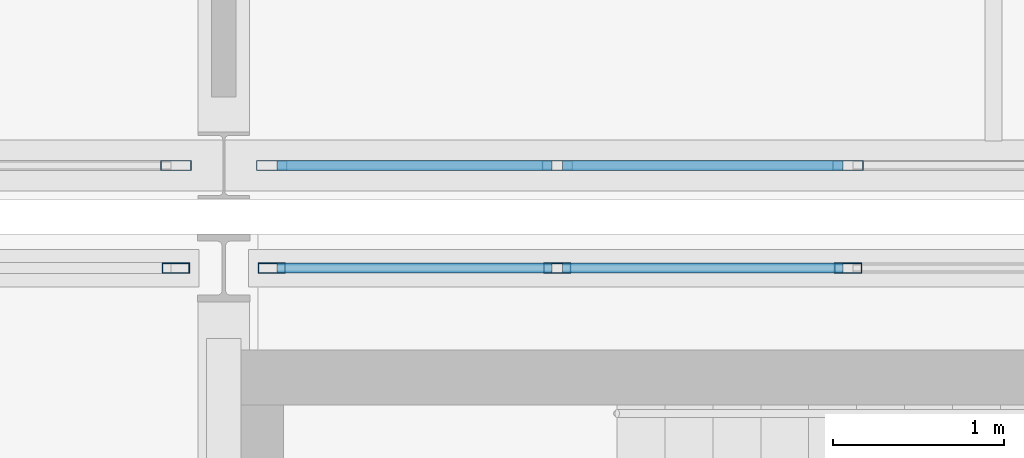
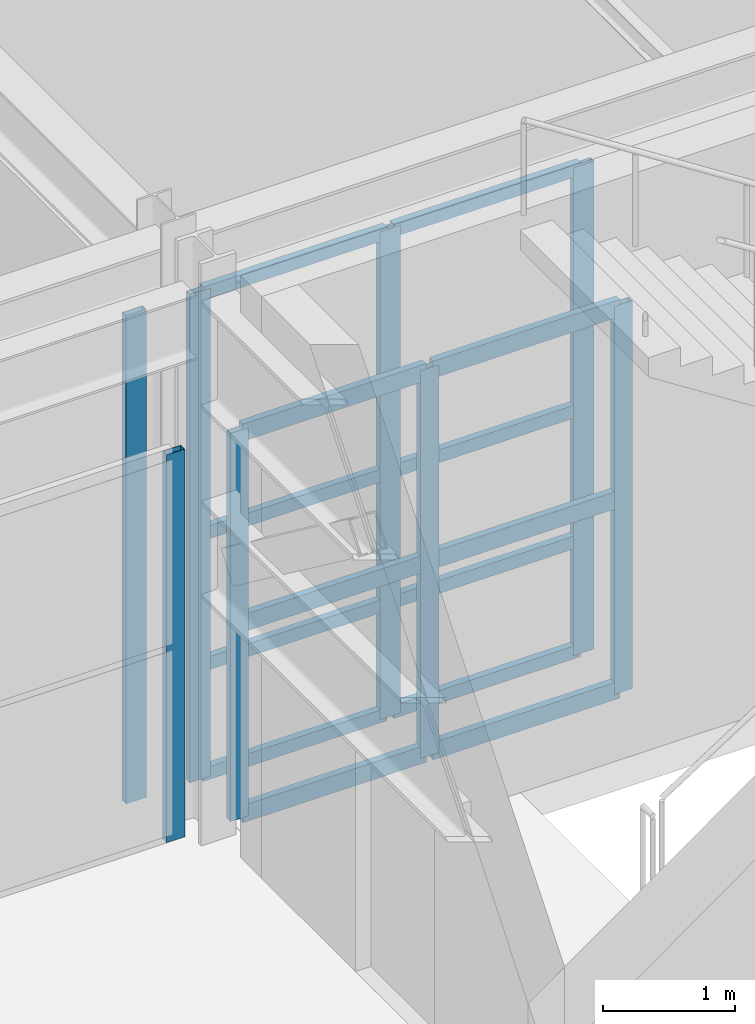
# One storey, part 35 of 210: 22 members, 4 elements without a shape of their own.
"""IFC4 building model written with IfcOpenShell, lengths in metres."""

from ifc_helpers import new_model, si_unit, direction, frame, origin, origin_2d, place, context, subcontext, project, spatial, hollow_rectangle, extrude, material, material_profile, profile_set, type_object, element, aggregate, save


model = new_model("IFC4")

# Units and contexts
model_context = context("Model", 3, precision=1e-05, world=origin(), true_north=direction((0.0, 1.0)))
body_context = subcontext(model_context, "Body", "Model", "MODEL_VIEW")
ifc_project = project(units=[si_unit("LENGTHUNIT", "METRE"), si_unit("AREAUNIT", "SQUARE_METRE"), si_unit("VOLUMEUNIT", "CUBIC_METRE"), si_unit("PLANEANGLEUNIT", "RADIAN"), si_unit("MASSUNIT", "GRAM", prefix="KILO")], contexts=[model_context])

# Site, building, storey
site_placement = place(None, origin())
site = spatial("IfcSite", under=ifc_project, at=site_placement, CompositionType="ELEMENT")
building_placement = place(site_placement, origin())
building = spatial("IfcBuilding", under=site, at=building_placement, Name="Kaldris Quays Convention Centre", CompositionType="ELEMENT")
storey_placement = place(building_placement, frame((0.0, 0.0, 6.0)))
storey = spatial("IfcBuildingStorey", under=building, at=storey_placement, Name="L01", CompositionType="ELEMENT", Elevation=6.0)

# Curtain wall, member
ifc_material_1 = material(Name="Anodized aluminium AW-6060 and triple glazing", Category="aluminium")
curtain_wall_type_1 = type_object("IfcCurtainWallType", Name="UNITISED CURTAIN WALL CW05", PredefinedType="NOTDEFINED", material=ifc_material_1)
curtain_wall_1_placement = place(storey_placement, origin())
curtain_wall_1 = element("IfcCurtainWall", 1, at=curtain_wall_1_placement, inside=storey, type_object=curtain_wall_type_1, Name="L01 Unitised Curtain Wall CW05 64", PredefinedType="NOTDEFINED")
ifc_material_2 = material(Name="Anodized aluminium AW-6060", Category="aluminium")
ifc_material_profile_1 = material_profile(ifc_material_2, hollow_rectangle(XDim=0.06005859375, YDim=0.159912109375, WallThickness=0.00390625, at=origin_2d()), Name="RHS 160x60x4")
ifc_profile_set_1 = profile_set([ifc_material_profile_1], Name="Anodized aluminium AW-6060")
member_type_1 = type_object("IfcMemberType", Name="CURTAIN MULLION CWM1", PredefinedType="MULLION", material=ifc_profile_set_1)
member_1_placement = place(storey_placement, frame((46.719970703125, 46.0, 0.0), z_axis=(0.0, 0.0, 1.0), x_axis=(0.0, 1.0, 0.0)))
member_1 = element("IfcMember", 2, at=member_1_placement, type_object=member_type_1, Name="CW05 mullion 6", PredefinedType="MULLION", context=body_context, shape_type="SweptSolid", body=[
    extrude(hollow_rectangle(XDim=0.06005859375, YDim=0.159912109375, WallThickness=0.00390625, at=origin_2d()), origin(), (0.0, 0.0, 1.0), 3.60009765625),
])
aggregate(curtain_wall_1, [member_1])

# Curtain wall, members
curtain_wall_2_placement = place(storey_placement, origin())
curtain_wall_2 = element("IfcCurtainWall", 3, at=curtain_wall_2_placement, inside=storey, type_object=curtain_wall_type_1, Name="L01 Unitised Curtain Wall CW05 66", PredefinedType="NOTDEFINED")
member_2_placement = place(storey_placement, frame((47.280029296875, 46.0, 0.0), z_axis=(0.0, 0.0, 1.0), x_axis=(0.0, 1.0, 0.0)))
member_2 = element("IfcMember", 4, at=member_2_placement, type_object=member_type_1, Name="CW05 mullion 1", PredefinedType="MULLION", context=body_context, shape_type="SweptSolid", body=[
    extrude(hollow_rectangle(XDim=0.06005859375, YDim=0.159912109375, WallThickness=0.00390625, at=origin_2d()), origin(), (0.0, 0.0, 1.0), 3.60009765625),
])
member_3_placement = place(storey_placement, frame((48.949951171875, 46.0, 0.0), z_axis=(0.0, 0.0, 1.0), x_axis=(0.0, 1.0, 0.0)))
member_3 = element("IfcMember", 5, at=member_3_placement, type_object=member_type_1, Name="CW05 mullion 2", PredefinedType="MULLION", context=body_context, shape_type="SweptSolid", body=[
    extrude(hollow_rectangle(XDim=0.06005859375, YDim=0.159912109375, WallThickness=0.00390625, at=origin_2d()), origin(), (0.0, 0.0, 1.0), 3.60009765625),
])
member_4_placement = place(storey_placement, frame((50.64990234375, 46.0, 0.0), z_axis=(0.0, 0.0, 1.0), x_axis=(0.0, 1.0, 0.0)))
member_4 = element("IfcMember", 6, at=member_4_placement, type_object=member_type_1, Name="CW05 mullion 3", PredefinedType="MULLION", context=body_context, shape_type="SweptSolid", body=[
    extrude(hollow_rectangle(XDim=0.06005859375, YDim=0.159912109375, WallThickness=0.00390625, at=origin_2d()), origin(), (0.0, 0.0, 1.0), 3.60009765625),
])

# Curtain wall, member
curtain_wall_type_2 = type_object("IfcCurtainWallType", Name="UNITISED CURTAIN WALL CW02", PredefinedType="NOTDEFINED", material=ifc_material_1)
curtain_wall_3_placement = place(storey_placement, origin())
curtain_wall_3 = element("IfcCurtainWall", 7, at=curtain_wall_3_placement, inside=storey, type_object=curtain_wall_type_2, Name="L01 Unitised Curtain Wall CW02 91", PredefinedType="NOTDEFINED")
ifc_material_profile_2 = material_profile(ifc_material_2, hollow_rectangle(XDim=0.06005859375, YDim=0.179931640625, WallThickness=0.0048828125, at=origin_2d()), Name="RHS 180x60x5")
ifc_profile_set_2 = profile_set([ifc_material_profile_2], Name="Anodized aluminium AW-6060")
member_type_2 = type_object("IfcMemberType", Name="CURTAIN MULLION CWM2", PredefinedType="MULLION", material=ifc_profile_set_2)
member_5_placement = place(storey_placement, frame((46.719970703125, 46.60009765625, 0.0), z_axis=(0.0, 0.0, 1.0), x_axis=(0.0, 1.0, 0.0)))
member_5 = element("IfcMember", 8, at=member_5_placement, type_object=member_type_2, Name="CW02 mullion 6", PredefinedType="MULLION", context=body_context, shape_type="SweptSolid", body=[
    extrude(hollow_rectangle(XDim=0.06005859375, YDim=0.179931640625, WallThickness=0.0048828125, at=origin_2d()), origin(), (0.0, 0.0, 1.0), 4.528076171875),
])
aggregate(curtain_wall_3, [member_5])

# Curtain wall, members
curtain_wall_4_placement = place(storey_placement, origin())
curtain_wall_4 = element("IfcCurtainWall", 9, at=curtain_wall_4_placement, inside=storey, type_object=curtain_wall_type_2, Name="L01 Unitised Curtain Wall CW02 92", PredefinedType="NOTDEFINED")
member_6_placement = place(storey_placement, frame((47.280029296875, 46.60009765625, 0.0), z_axis=(0.0, 0.0, 1.0), x_axis=(0.0, 1.0, 0.0)))
member_6 = element("IfcMember", 10, at=member_6_placement, type_object=member_type_2, Name="CW02 mullion 1", PredefinedType="MULLION", context=body_context, shape_type="SweptSolid", body=[
    extrude(hollow_rectangle(XDim=0.06005859375, YDim=0.179931640625, WallThickness=0.0048828125, at=origin_2d()), origin(), (0.0, 0.0, 1.0), 4.528076171875),
])
member_7_placement = place(storey_placement, frame((48.949951171875, 46.60009765625, 0.0), z_axis=(0.0, 0.0, 1.0), x_axis=(0.0, 1.0, 0.0)))
member_7 = element("IfcMember", 11, at=member_7_placement, type_object=member_type_2, Name="CW02 mullion 2", PredefinedType="MULLION", context=body_context, shape_type="SweptSolid", body=[
    extrude(hollow_rectangle(XDim=0.06005859375, YDim=0.179931640625, WallThickness=0.0048828125, at=origin_2d()), origin(), (0.0, 0.0, 1.0), 4.528076171875),
])
member_8_placement = place(storey_placement, frame((50.64990234375, 46.60009765625, 0.0), z_axis=(0.0, 0.0, 1.0), x_axis=(0.0, 1.0, 0.0)))
member_8 = element("IfcMember", 12, at=member_8_placement, type_object=member_type_2, Name="CW02 mullion 3", PredefinedType="MULLION", context=body_context, shape_type="SweptSolid", body=[
    extrude(hollow_rectangle(XDim=0.06005859375, YDim=0.179931640625, WallThickness=0.0048828125, at=origin_2d()), origin(), (0.0, 0.0, 1.0), 4.528076171875),
])
ifc_material_profile_3 = material_profile(ifc_material_2, hollow_rectangle(XDim=0.06005859375, YDim=0.1201171875, WallThickness=0.00390625, at=origin_2d()), Name="RHS 120x60x4")
ifc_profile_set_3 = profile_set([ifc_material_profile_3], Name="Anodized aluminium AW-6060")
member_type_3 = type_object("IfcMemberType", Name="CURTAIN TRANSOM CWT1", PredefinedType="USERDEFINED", material=ifc_profile_set_3)
member_9_placement = place(storey_placement, frame((47.31005859375, 46.60009765625, 0.030029296875), z_axis=(1.0, 0.0, 0.0), x_axis=(0.0, 1.0, 0.0)))
member_9 = element("IfcMember", 13, at=member_9_placement, type_object=member_type_3, Name="CW02 transom 1.1", ObjectType="TRANSOM", PredefinedType="USERDEFINED", context=body_context, shape_type="SweptSolid", body=[
    extrude(hollow_rectangle(XDim=0.06005859375, YDim=0.1201171875, WallThickness=0.00390625, at=origin_2d()), origin(), (0.0, 0.0, 1.0), 1.60986328125),
])
member_10_placement = place(storey_placement, frame((47.31005859375, 46.60009765625, 1.050048828125), z_axis=(1.0, 0.0, 0.0), x_axis=(0.0, 1.0, 0.0)))
member_10 = element("IfcMember", 14, at=member_10_placement, type_object=member_type_3, Name="CW02 transom 1.2", ObjectType="TRANSOM", PredefinedType="USERDEFINED", context=body_context, shape_type="SweptSolid", body=[
    extrude(hollow_rectangle(XDim=0.06005859375, YDim=0.1201171875, WallThickness=0.00390625, at=origin_2d()), origin(), (0.0, 0.0, 1.0), 1.60986328125),
])
member_11_placement = place(storey_placement, frame((47.31005859375, 46.60009765625, 2.263916015625), z_axis=(1.0, 0.0, 0.0), x_axis=(0.0, 1.0, 0.0)))
member_11 = element("IfcMember", 15, at=member_11_placement, type_object=member_type_3, Name="CW02 transom 1.3", ObjectType="TRANSOM", PredefinedType="USERDEFINED", context=body_context, shape_type="SweptSolid", body=[
    extrude(hollow_rectangle(XDim=0.06005859375, YDim=0.1201171875, WallThickness=0.00390625, at=origin_2d()), origin(), (0.0, 0.0, 1.0), 1.60986328125),
])
member_12_placement = place(storey_placement, frame((47.31005859375, 46.60009765625, 4.498046875), z_axis=(1.0, 0.0, 0.0), x_axis=(0.0, 1.0, 0.0)))
member_12 = element("IfcMember", 16, at=member_12_placement, type_object=member_type_3, Name="CW02 transom 1.4", ObjectType="TRANSOM", PredefinedType="USERDEFINED", context=body_context, shape_type="SweptSolid", body=[
    extrude(hollow_rectangle(XDim=0.06005859375, YDim=0.1201171875, WallThickness=0.00390625, at=origin_2d()), origin(), (0.0, 0.0, 1.0), 1.60986328125),
])
member_13_placement = place(storey_placement, frame((48.97998046875, 46.60009765625, 0.030029296875), z_axis=(1.0, 0.0, 0.0), x_axis=(0.0, 1.0, 0.0)))
member_13 = element("IfcMember", 17, at=member_13_placement, type_object=member_type_3, Name="CW02 transom 2.1", ObjectType="TRANSOM", PredefinedType="USERDEFINED", context=body_context, shape_type="SweptSolid", body=[
    extrude(hollow_rectangle(XDim=0.06005859375, YDim=0.1201171875, WallThickness=0.00390625, at=origin_2d()), origin(), (0.0, 0.0, 1.0), 1.64013671875),
])
member_14_placement = place(storey_placement, frame((48.97998046875, 46.60009765625, 1.050048828125), z_axis=(1.0, 0.0, 0.0), x_axis=(0.0, 1.0, 0.0)))
member_14 = element("IfcMember", 18, at=member_14_placement, type_object=member_type_3, Name="CW02 transom 2.2", ObjectType="TRANSOM", PredefinedType="USERDEFINED", context=body_context, shape_type="SweptSolid", body=[
    extrude(hollow_rectangle(XDim=0.06005859375, YDim=0.1201171875, WallThickness=0.00390625, at=origin_2d()), origin(), (0.0, 0.0, 1.0), 1.64013671875),
])
member_15_placement = place(storey_placement, frame((48.97998046875, 46.60009765625, 2.263916015625), z_axis=(1.0, 0.0, 0.0), x_axis=(0.0, 1.0, 0.0)))
member_15 = element("IfcMember", 19, at=member_15_placement, type_object=member_type_3, Name="CW02 transom 2.3", ObjectType="TRANSOM", PredefinedType="USERDEFINED", context=body_context, shape_type="SweptSolid", body=[
    extrude(hollow_rectangle(XDim=0.06005859375, YDim=0.1201171875, WallThickness=0.00390625, at=origin_2d()), origin(), (0.0, 0.0, 1.0), 1.64013671875),
])
member_16_placement = place(storey_placement, frame((48.97998046875, 46.60009765625, 4.498046875), z_axis=(1.0, 0.0, 0.0), x_axis=(0.0, 1.0, 0.0)))
member_16 = element("IfcMember", 20, at=member_16_placement, type_object=member_type_3, Name="CW02 transom 2.4", ObjectType="TRANSOM", PredefinedType="USERDEFINED", context=body_context, shape_type="SweptSolid", body=[
    extrude(hollow_rectangle(XDim=0.06005859375, YDim=0.1201171875, WallThickness=0.00390625, at=origin_2d()), origin(), (0.0, 0.0, 1.0), 1.64013671875),
])
aggregate(curtain_wall_4, [member_6, member_7, member_8, member_9, member_10, member_11, member_12, member_13, member_14, member_15, member_16])

# Member
ifc_material_profile_4 = material_profile(ifc_material_2, hollow_rectangle(XDim=0.06005859375, YDim=0.159912109375, WallThickness=0.00390625, at=origin_2d()), Name="RHS 160x60x4")
ifc_profile_set_4 = profile_set([ifc_material_profile_4], Name="Anodized aluminium AW-6060")
member_type_4 = type_object("IfcMemberType", Name="CURTAIN TRANSOM CWT2", PredefinedType="USERDEFINED", material=ifc_profile_set_4)
member_17_placement = place(storey_placement, frame((47.31005859375, 46.0, 0.030029296875), z_axis=(1.0, 0.0, 0.0), x_axis=(0.0, 1.0, 0.0)))
member_17 = element("IfcMember", 21, at=member_17_placement, type_object=member_type_4, Name="CW05 transom 1.1", ObjectType="TRANSOM", PredefinedType="USERDEFINED", context=body_context, shape_type="SweptSolid", body=[
    extrude(hollow_rectangle(XDim=0.06005859375, YDim=0.159912109375, WallThickness=0.00390625, at=origin_2d()), origin(), (0.0, 0.0, 1.0), 1.60986328125),
])

member_18_placement = place(storey_placement, frame((47.31005859375, 46.0, 1.800048828125), z_axis=(1.0, 0.0, 0.0), x_axis=(0.0, 1.0, 0.0)))
member_18 = element("IfcMember", 22, at=member_18_placement, type_object=member_type_4, Name="CW05 transom 1.2", ObjectType="TRANSOM", PredefinedType="USERDEFINED", context=body_context, shape_type="SweptSolid", body=[
    extrude(hollow_rectangle(XDim=0.06005859375, YDim=0.159912109375, WallThickness=0.00390625, at=origin_2d()), origin(), (0.0, 0.0, 1.0), 1.60986328125),
])

member_19_placement = place(storey_placement, frame((47.31005859375, 46.0, 3.570068359375), z_axis=(1.0, 0.0, 0.0), x_axis=(0.0, 1.0, 0.0)))
member_19 = element("IfcMember", 23, at=member_19_placement, type_object=member_type_4, Name="CW05 transom 1.3", ObjectType="TRANSOM", PredefinedType="USERDEFINED", context=body_context, shape_type="SweptSolid", body=[
    extrude(hollow_rectangle(XDim=0.06005859375, YDim=0.159912109375, WallThickness=0.00390625, at=origin_2d()), origin(), (0.0, 0.0, 1.0), 1.60986328125),
])

member_20_placement = place(storey_placement, frame((48.97998046875, 46.0, 0.030029296875), z_axis=(1.0, 0.0, 0.0), x_axis=(0.0, 1.0, 0.0)))
member_20 = element("IfcMember", 24, at=member_20_placement, type_object=member_type_4, Name="CW05 transom 2.1", ObjectType="TRANSOM", PredefinedType="USERDEFINED", context=body_context, shape_type="SweptSolid", body=[
    extrude(hollow_rectangle(XDim=0.06005859375, YDim=0.159912109375, WallThickness=0.00390625, at=origin_2d()), origin(), (0.0, 0.0, 1.0), 1.64013671875),
])

member_21_placement = place(storey_placement, frame((48.97998046875, 46.0, 1.800048828125), z_axis=(1.0, 0.0, 0.0), x_axis=(0.0, 1.0, 0.0)))
member_21 = element("IfcMember", 25, at=member_21_placement, type_object=member_type_4, Name="CW05 transom 2.2", ObjectType="TRANSOM", PredefinedType="USERDEFINED", context=body_context, shape_type="SweptSolid", body=[
    extrude(hollow_rectangle(XDim=0.06005859375, YDim=0.159912109375, WallThickness=0.00390625, at=origin_2d()), origin(), (0.0, 0.0, 1.0), 1.64013671875),
])

member_22_placement = place(storey_placement, frame((48.97998046875, 46.0, 3.570068359375), z_axis=(1.0, 0.0, 0.0), x_axis=(0.0, 1.0, 0.0)))
member_22 = element("IfcMember", 26, at=member_22_placement, type_object=member_type_4, Name="CW05 transom 2.3", ObjectType="TRANSOM", PredefinedType="USERDEFINED", context=body_context, shape_type="SweptSolid", body=[
    extrude(hollow_rectangle(XDim=0.06005859375, YDim=0.159912109375, WallThickness=0.00390625, at=origin_2d()), origin(), (0.0, 0.0, 1.0), 1.64013671875),
])

aggregate(curtain_wall_2, [member_2, member_3, member_4, member_17, member_18, member_19, member_20, member_21, member_22])

save(model, "model.ifc")
